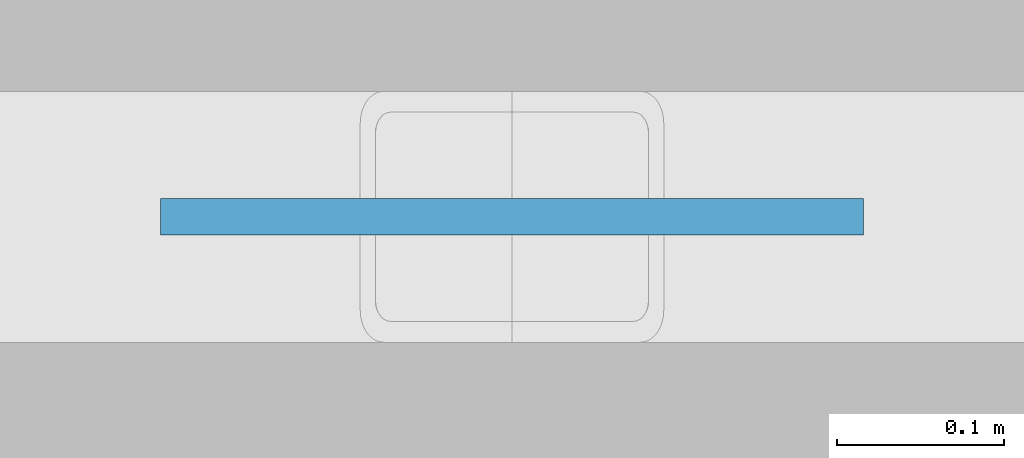
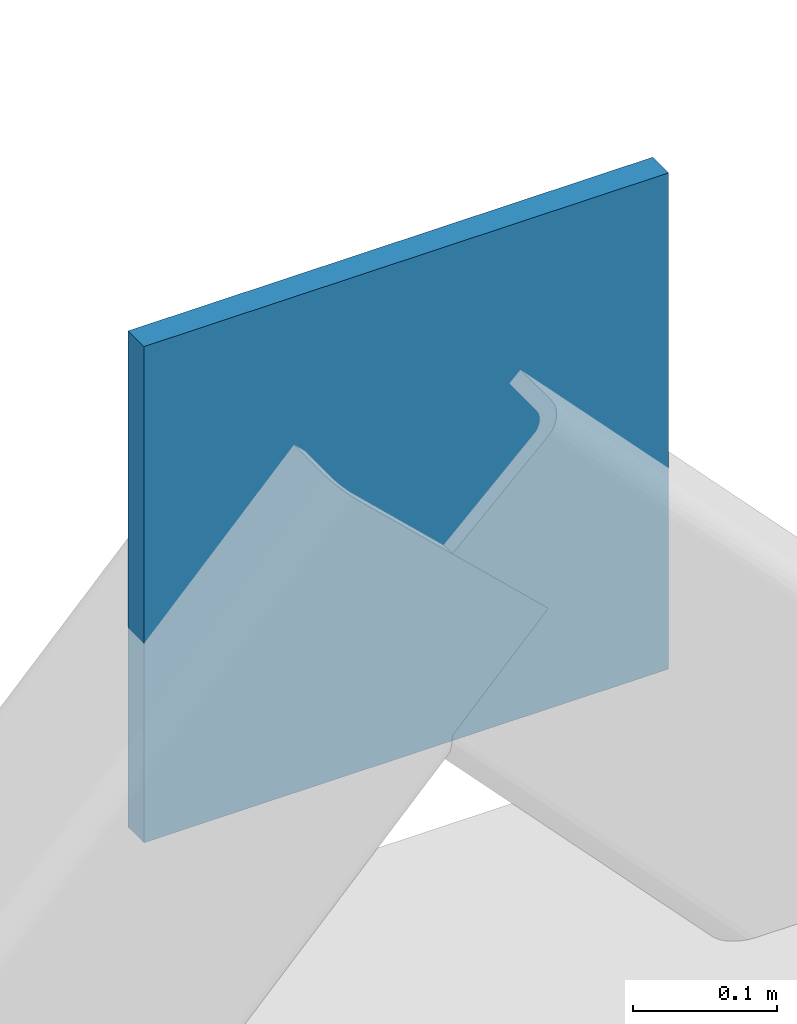
# One storey, part 84 of 147: 1 plate.
"""IFC4 building model written with IfcOpenShell, lengths in metres."""

import ifcopenshell
import ifcopenshell.guid

model = None  # the IFC model being written
_history = None  # IfcOwnerHistory: only IFC2X3 demands one
_inside = {}  # id of a spatial element -> (the spatial element, [elements in it])
_under = {}  # id of a project, library or spatial element -> (it, [spatial elements below it])
_declared = {}  # id of a project -> (the project, [libraries it declares])
_typed = {}  # id of a type object -> (the type object, [elements of that type])
_made_of = {}  # id of a material, layer set ... -> (it, [elements and type objects made of it])


def new_model(schema):
    """Start an empty IFC model of exactly this schema.

    Asked for "IFC4X3", IfcOpenShell would pick the latest addendum, in which some entities
    have other attributes; the version numbers below select the first issue.
    IFC2X3 requires an IfcOwnerHistory on every rooted entity: one is made here for all.
    """
    global model, _history
    if schema == "IFC4X3":
        model = ifcopenshell.file(schema_version=(4, 3, 0, 0))
    else:
        model = ifcopenshell.file(schema=schema)
    _inside.clear()
    _under.clear()
    _declared.clear()
    _typed.clear()
    _made_of.clear()
    _history = None
    if model.schema == "IFC2X3":
        org = make("IfcOrganization", Name="unknown")
        user = make(
            "IfcPersonAndOrganization",
            ThePerson=make("IfcPerson", FamilyName="unknown"),
            TheOrganization=org,
        )
        app = make(
            "IfcApplication",
            ApplicationDeveloper=org,
            Version="unknown",
            ApplicationFullName="unknown",
            ApplicationIdentifier="unknown",
        )
        _history = make(
            "IfcOwnerHistory",
            OwningUser=user,
            OwningApplication=app,
            ChangeAction="ADDED",
            CreationDate=0,
        )
    return model


def make(cls, **values):
    """One entity of the class cls with the attributes given. An attribute that is None is left unset."""
    return model.create_entity(
        cls, **{name: value for name, value in values.items() if value is not None}
    )


def rooted(cls, **values):
    """An entity with a GlobalId (a new one), such as an element, a storey or a relation."""
    return make(cls, GlobalId=ifcopenshell.guid.new(), OwnerHistory=_history, **values)


def si_unit(unit_type, name, prefix=None):
    """IfcSIUnit, for example si_unit("LENGTHUNIT", "METRE", prefix="MILLI")."""
    return make("IfcSIUnit", UnitType=unit_type, Prefix=prefix, Name=name)


def assignment(units):
    """IfcUnitAssignment: the units of a project."""
    return None if units is None else make("IfcUnitAssignment", Units=units)


def point(xyz):
    """IfcCartesianPoint."""
    return None if xyz is None else make("IfcCartesianPoint", Coordinates=xyz)


def direction(xyz):
    """IfcDirection."""
    return None if xyz is None else make("IfcDirection", DirectionRatios=xyz)


def frame(location, z_axis=None, x_axis=None):
    """IfcAxis2Placement3D, a coordinate frame: its origin and axes. An axis left out is left unset."""
    return make(
        "IfcAxis2Placement3D",
        Location=point(location),
        Axis=direction(z_axis),
        RefDirection=direction(x_axis),
    )


def frame_2d(location, x_axis=None):
    """IfcAxis2Placement2D, a coordinate frame in the plane: its origin and x axis."""
    return make(
        "IfcAxis2Placement2D", Location=point(location), RefDirection=direction(x_axis)
    )


def origin():
    """The frame at (0, 0, 0) with its axes left unset."""
    return frame((0.0, 0.0, 0.0))


def origin_2d():
    """The frame at (0, 0) in the plane with its x axis left unset."""
    return frame_2d((0.0, 0.0))


def place(relative_to, where):
    """IfcLocalPlacement: puts the frame where relative to a parent placement (None: the world)."""
    return make(
        "IfcLocalPlacement", PlacementRelTo=relative_to, RelativePlacement=where
    )


def context(
    kind, dimensions, precision=None, world=None, true_north=None, identifier=None
):
    """IfcGeometricRepresentationContext, for example the 3D "Model" context."""
    return make(
        "IfcGeometricRepresentationContext",
        ContextIdentifier=identifier,
        ContextType=kind,
        CoordinateSpaceDimension=dimensions,
        Precision=precision,
        WorldCoordinateSystem=world,
        TrueNorth=true_north,
    )


def subcontext(parent, identifier, kind, view, scale=None):
    """IfcGeometricRepresentationSubContext, for example "Body" below "Model"."""
    return make(
        "IfcGeometricRepresentationSubContext",
        ContextIdentifier=identifier,
        ContextType=kind,
        ParentContext=parent,
        TargetScale=scale,
        TargetView=view,
    )


def project(units=None, contexts=None):
    """IfcProject with its units and contexts."""
    return rooted(
        "IfcProject",
        Name="project",
        RepresentationContexts=contexts,
        UnitsInContext=assignment(units),
    )


def spatial(cls, under=None, at=None, **own):
    """A site, building, storey or space (cls), placed at a placement, below another one or the project."""
    s = rooted(cls, ObjectPlacement=at, **own)
    if under is not None:
        _under.setdefault(under.id(), (under, []))[1].append(s)
    return s


def profile(cls, at=None, kind="AREA", **sizes):
    """A parametric profile (cls). Its sizes go by their IFC names, for example OverallWidth=200.0."""
    return make(cls, ProfileType=kind, Position=at, **sizes)


def rectangle(**sizes):
    """IfcRectangleProfileDef."""
    return profile("IfcRectangleProfileDef", **sizes)


def extrude(swept, where, along, depth):
    """IfcExtrudedAreaSolid: the profile swept, set in the frame where, extruded along a direction by depth."""
    return make(
        "IfcExtrudedAreaSolid",
        SweptArea=swept,
        Position=where,
        ExtrudedDirection=direction(along),
        Depth=depth,
    )


def shape(context_of_items, identifier, shape_type, items):
    """IfcShapeRepresentation: the items that make up one representation, for example the "Body"."""
    return make(
        "IfcShapeRepresentation",
        ContextOfItems=context_of_items,
        RepresentationIdentifier=identifier,
        RepresentationType=shape_type,
        Items=items,
    )


def material(Name=None, Category=None):
    """IfcMaterial."""
    return make("IfcMaterial", Name=Name, Category=Category)


def layer(
    of_material, thickness, ventilated=None, Name=None, Category=None, Priority=None
):
    """IfcMaterialLayer: one layer of a wall or slab, of a material (None: an air gap)."""
    return make(
        "IfcMaterialLayer",
        Material=of_material,
        LayerThickness=thickness,
        IsVentilated=ventilated,
        Name=Name,
        Category=Category,
        Priority=Priority,
    )


def layer_set(layers, Name=None):
    """IfcMaterialLayerSet."""
    return make("IfcMaterialLayerSet", MaterialLayers=layers, LayerSetName=Name)


def made_of(thing, what):
    """Note that an element or type object is made of a material, layer set ...; save() writes the relation."""
    if what is not None:
        _made_of.setdefault(what.id(), (what, []))[1].append(thing)
    return thing


def type_object(cls, material=None, **own):
    """A type object (cls), such as IfcWallType, which elements share."""
    return made_of(rooted(cls, **own), material)


def element(
    cls,
    number,
    at=None,
    inside=None,
    cuts=None,
    type_object=None,
    material=None,
    context=None,
    identifier="Body",
    shape_type=None,
    held_by="IfcProductDefinitionShape",
    body=None,
    shapes=None,
    **own,
):
    """One element of the class cls, such as IfcWall. Its Tag is "e" and its number.

    at: its placement. inside: the storey or other place that contains it. cuts: it is an
    opening in that element (IfcRelVoidsElement). A single representation is given by context,
    identifier, shape_type and body (its items); several are given by shapes. held_by: the class
    of the entity that holds the representations. save() writes the other relations.
    """
    e = rooted(cls, Tag="e%d" % number, ObjectPlacement=at, **own)
    if body is not None:
        shapes = [shape(context, identifier, shape_type, body)]
    if shapes is not None:
        e.Representation = make(held_by, Representations=shapes)
    if inside is not None:
        _inside.setdefault(inside.id(), (inside, []))[1].append(e)
    if cuts is not None:
        rooted(
            "IfcRelVoidsElement", RelatingBuildingElement=cuts, RelatedOpeningElement=e
        )
    if type_object is not None:
        _typed.setdefault(type_object.id(), (type_object, []))[1].append(e)
    return made_of(e, material)


def aggregate(whole, parts):
    """IfcRelAggregates: a whole, such as a stair, and the parts it consists of."""
    return rooted("IfcRelAggregates", RelatingObject=whole, RelatedObjects=parts)


def save(model, path):
    """Write the relations noted so far, then the file.

    IfcRelAggregates (storeys below a building ...), IfcRelContainedInSpatialStructure (elements
    in a storey), IfcRelDefinesByType, IfcRelAssociatesMaterial and IfcRelDeclares: one each for
    every whole, place, type object, material and project.
    """
    for whole, parts in _under.values():
        aggregate(whole, parts)
    for where, things in _inside.values():
        rooted(
            "IfcRelContainedInSpatialStructure",
            RelatedElements=things,
            RelatingStructure=where,
        )
    for kind, things in _typed.values():
        rooted("IfcRelDefinesByType", RelatedObjects=things, RelatingType=kind)
    for what, things in _made_of.values():
        rooted("IfcRelAssociatesMaterial", RelatedObjects=things, RelatingMaterial=what)
    for by, libraries in _declared.values():
        rooted("IfcRelDeclares", RelatingContext=by, RelatedDefinitions=libraries)
    model.write(path)


model = new_model("IFC4")

# Units and contexts
model_context = context("Model", 3, precision=1e-05, world=origin(), true_north=direction((0.0, 1.0)))
body_context = subcontext(model_context, "Body", "Model", "MODEL_VIEW")
ifc_project = project(units=[si_unit("LENGTHUNIT", "METRE"), si_unit("AREAUNIT", "SQUARE_METRE"), si_unit("VOLUMEUNIT", "CUBIC_METRE"), si_unit("PLANEANGLEUNIT", "RADIAN"), si_unit("MASSUNIT", "GRAM", prefix="KILO")], contexts=[model_context])

# Site, building, storey
site_placement = place(None, origin())
site = spatial("IfcSite", under=ifc_project, at=site_placement, CompositionType="ELEMENT")
building_placement = place(site_placement, origin())
building = spatial("IfcBuilding", under=site, at=building_placement, Name="Khelvaren Railside Concert Hall", CompositionType="ELEMENT")
storey_placement = place(building_placement, frame((0.0, 0.0, 5.39990234375)))
storey = spatial("IfcBuildingStorey", under=building, at=storey_placement, Name="L01", CompositionType="ELEMENT", Elevation=5.39990234375)

# Plate
ifc_material = material(Name="Steel S355", Category="steel")
ifc_layer = layer(ifc_material, 0.02197265625)
ifc_layer_set = layer_set([ifc_layer], Name="Steel S355")
plate_type = type_object("IfcPlateType", Name="STP73", PredefinedType="USERDEFINED", material=ifc_layer_set)
plate_placement = place(storey_placement, frame((156.0, 114.0, 4.050048828125), z_axis=(0.0, 0.0, 1.0), x_axis=(1.0, 0.0, 0.0)))
element("IfcPlate", 1, at=plate_placement, inside=storey, type_object=plate_type, Name="V5 L01 Brace Apex Stiffener Plate 60", ObjectType="STIFFENER PLATE", PredefinedType="USERDEFINED", context=body_context, shape_type="SweptSolid", body=[
    extrude(rectangle(XDim=0.419921875, YDim=0.02197265625, at=origin_2d()), origin(), (0.0, 0.0, 1.0), 0.419921875),
])

save(model, "model.ifc")
